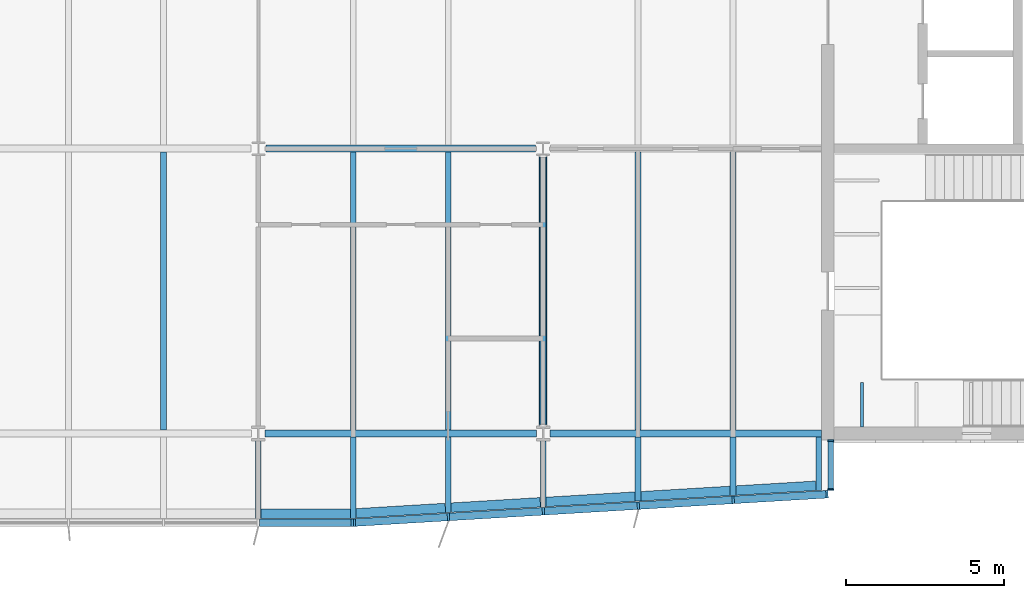
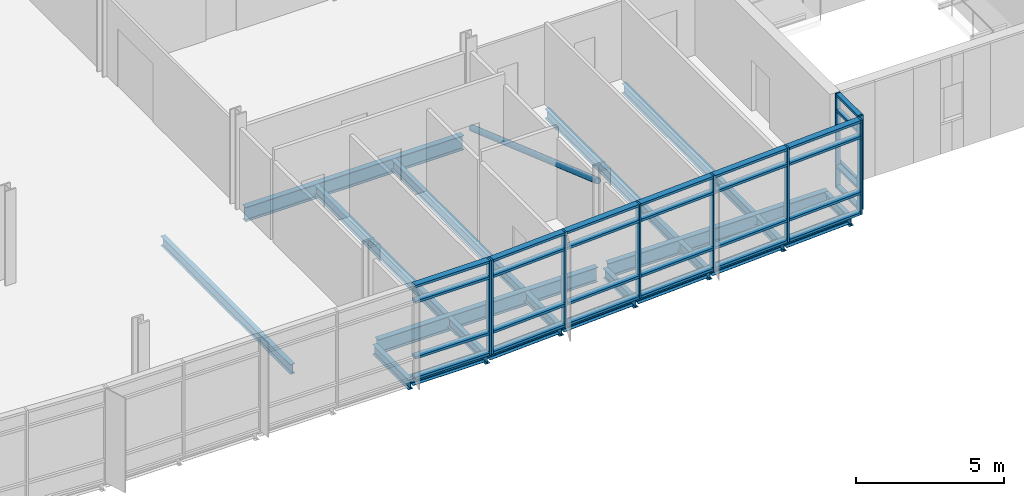
# One storey, part 6 of 21: 38 members, 22 beams, 3 elements without a shape of their own.
"""IFC4 building model written with IfcOpenShell, lengths in metres."""

from ifc_helpers import new_model, si_unit, direction, frame, origin, origin_2d, place, context, subcontext, project, spatial, rectangle, hollow_circle, i_section, extrude, material, material_profile, profile_set, type_object, element, aggregate, save


model = new_model("IFC4")

# Units and contexts
model_context = context("Model", 3, precision=1e-05, world=origin(), true_north=direction((0.0, 1.0)))
body_context = subcontext(model_context, "Body", "Model", "MODEL_VIEW")
ifc_project = project(units=[si_unit("LENGTHUNIT", "METRE"), si_unit("AREAUNIT", "SQUARE_METRE"), si_unit("VOLUMEUNIT", "CUBIC_METRE"), si_unit("PLANEANGLEUNIT", "RADIAN"), si_unit("MASSUNIT", "GRAM", prefix="KILO")], contexts=[model_context])

# Site, building, storey
site_placement = place(None, origin())
site = spatial("IfcSite", under=ifc_project, at=site_placement, CompositionType="ELEMENT")
building_placement = place(site_placement, origin())
building = spatial("IfcBuilding", under=site, at=building_placement, Name="Azimuth Sports and Learning Centre", CompositionType="ELEMENT")
storey_placement = place(building_placement, frame((0.0, 0.0, 32.39990234375)))
storey = spatial("IfcBuildingStorey", under=building, at=storey_placement, Name="L06", CompositionType="ELEMENT", Elevation=32.39990234375)

# Beams
ifc_material_1 = material(Name="Steel S355", Category="steel")
ifc_material_profile_1 = material_profile(ifc_material_1, i_section(OverallWidth=0.10009765625, OverallDepth=0.199951171875, WebThickness=0.005615234375, FlangeThickness=0.008544921875, FilletRadius=0.011962890625, at=origin_2d()), Name="IPE 200")
ifc_profile_set_1 = profile_set([ifc_material_profile_1], Name="Steel S355")
beam_type_1 = type_object("IfcBeamType", Name="Beam IPE 200", PredefinedType="BEAM", material=ifc_profile_set_1)
beam_1_placement = place(storey_placement, frame((109.0732421875, 90.199951171875, -0.2998046875), z_axis=(0.0, 1.0, 0.0), x_axis=(-1.0, 0.0, 0.0)))
element("IfcBeam", 1, at=beam_1_placement, inside=storey, type_object=beam_type_1, Name="Landing bracket E1 L06 415", PredefinedType="BEAM", context=body_context, shape_type="SweptSolid", body=[
    extrude(i_section(OverallWidth=0.10009765625, OverallDepth=0.199951171875, WebThickness=0.005615234375, FlangeThickness=0.008544921875, FilletRadius=0.011962890625, at=origin_2d()), origin(), (0.0, 0.0, 1.0), 1.41015625),
])
ifc_material_2 = material(Name="Steel S355", Category="steel")
ifc_material_profile_2 = material_profile(ifc_material_2, i_section(OverallWidth=0.219970703125, OverallDepth=0.60009765625, WebThickness=0.011962890625, FlangeThickness=0.01904296875, FilletRadius=0.02392578125, at=origin_2d()), Name="IPE 600")
ifc_profile_set_2 = profile_set([ifc_material_profile_2], Name="Steel S355")
beam_type_2 = type_object("IfcBeamType", Name="Beam IPE 600", PredefinedType="BEAM", material=ifc_profile_set_2)
beam_2_placement = place(storey_placement, frame((90.2119140625, 90.0, -0.429931640625), z_axis=(1.0, 0.0, 0.0), x_axis=(0.0, 1.0, 0.0)))
element("IfcBeam", 2, at=beam_2_placement, inside=storey, type_object=beam_type_2, Name="Tower girder L06", PredefinedType="BEAM", context=body_context, shape_type="SweptSolid", body=[
    extrude(i_section(OverallWidth=0.219970703125, OverallDepth=0.60009765625, WebThickness=0.011962890625, FlangeThickness=0.01904296875, FilletRadius=0.02392578125, at=origin_2d()), origin(), (0.0, 0.0, 1.0), 8.576171875),
])
beam_3_placement = place(storey_placement, frame((99.2119140625, 90.0, -0.429931640625), z_axis=(1.0, 0.0, 0.0), x_axis=(0.0, 1.0, 0.0)))
element("IfcBeam", 3, at=beam_3_placement, inside=storey, type_object=beam_type_2, Name="Tower girder L06", PredefinedType="BEAM", context=body_context, shape_type="SweptSolid", body=[
    extrude(i_section(OverallWidth=0.219970703125, OverallDepth=0.60009765625, WebThickness=0.011962890625, FlangeThickness=0.01904296875, FilletRadius=0.02392578125, at=origin_2d()), origin(), (0.0, 0.0, 1.0), 8.588134765625),
])
beam_4_placement = place(storey_placement, frame((90.238037109375, 99.0, -0.429931640625), z_axis=(1.0, 0.0, 0.0), x_axis=(0.0, 1.0, 0.0)))
element("IfcBeam", 4, at=beam_4_placement, inside=storey, type_object=beam_type_2, Name="Tower girder L06", PredefinedType="BEAM", context=body_context, shape_type="SweptSolid", body=[
    extrude(i_section(OverallWidth=0.219970703125, OverallDepth=0.60009765625, WebThickness=0.011962890625, FlangeThickness=0.01904296875, FilletRadius=0.02392578125, at=origin_2d()), origin(), (0.0, 0.0, 1.0), 8.52392578125),
])

# Member
ifc_material_3 = material(Name="Steel S355", Category="steel")
ifc_material_profile_3 = material_profile(ifc_material_3, hollow_circle(Radius=0.122314453125, WallThickness=0.012451171875, at=origin_2d()), Name="CHS 244.5x12.5")
ifc_profile_set_3 = profile_set([ifc_material_profile_3], Name="Steel S355")
member_type_1 = type_object("IfcMemberType", Name="Brace CHS 244.5x12.5", PredefinedType="BRACE", material=ifc_profile_set_3)
member_1_placement = place(storey_placement, frame((99.0, 90.25732421875, 3.150634765625), z_axis=(0.0, 0.943699867633, -0.330802901785), x_axis=(-1.0, 0.0, 0.0)))
element("IfcMember", 5, at=member_1_placement, inside=storey, type_object=member_type_1, Name="Tower brace 12 L06", PredefinedType="BRACE", context=body_context, shape_type="SweptSolid", body=[
    extrude(hollow_circle(Radius=0.122314453125, WallThickness=0.012451171875, at=origin_2d()), origin(), (0.0, 0.0, 1.0), 9.011962890625),
])

# Beams
ifc_material_4 = material(Name="Steel S355", Category="steel")
ifc_material_profile_4 = material_profile(ifc_material_4, i_section(OverallWidth=0.179931640625, OverallDepth=0.39990234375, WebThickness=0.008544921875, FlangeThickness=0.013427734375, FilletRadius=0.02099609375, at=origin_2d()), Name="IPE 400")
ifc_profile_set_4 = profile_set([ifc_material_profile_4], Name="Steel S355")
beam_type_3 = type_object("IfcBeamType", Name="Cantilever stub IPE 400", PredefinedType="JOIST", material=ifc_profile_set_4)
beam_5_placement = place(storey_placement, frame((90.0, 89.762939453125, -0.329833984375), z_axis=(0.0, -1.0, 0.0), x_axis=(1.0, 0.0, 0.0)))
element("IfcBeam", 6, at=beam_5_placement, inside=storey, type_object=beam_type_3, Name="Tower cantilever stub", PredefinedType="JOIST", context=body_context, shape_type="SweptSolid", body=[
    extrude(i_section(OverallWidth=0.179931640625, OverallDepth=0.39990234375, WebThickness=0.008544921875, FlangeThickness=0.013427734375, FilletRadius=0.02099609375, at=origin_2d()), origin(), (0.0, 0.0, 1.0), 2.44287109375),
])
beam_6_placement = place(storey_placement, frame((93.0, 89.889892578125, -0.329833984375), z_axis=(0.0, -1.0, 0.0), x_axis=(1.0, 0.0, 0.0)))
element("IfcBeam", 7, at=beam_6_placement, inside=storey, type_object=beam_type_3, Name="Tower cantilever stub", PredefinedType="JOIST", context=body_context, shape_type="SweptSolid", body=[
    extrude(i_section(OverallWidth=0.179931640625, OverallDepth=0.39990234375, WebThickness=0.008544921875, FlangeThickness=0.013427734375, FilletRadius=0.02099609375, at=origin_2d()), origin(), (0.0, 0.0, 1.0), 2.56982421875),
])
beam_7_placement = place(storey_placement, frame((96.0, 89.889892578125, -0.329833984375), z_axis=(0.0, -1.0, 0.0), x_axis=(1.0, 0.0, 0.0)))
element("IfcBeam", 8, at=beam_7_placement, inside=storey, type_object=beam_type_3, Name="Tower cantilever stub", PredefinedType="JOIST", context=body_context, shape_type="SweptSolid", body=[
    extrude(i_section(OverallWidth=0.179931640625, OverallDepth=0.39990234375, WebThickness=0.008544921875, FlangeThickness=0.013427734375, FilletRadius=0.02099609375, at=origin_2d()), origin(), (0.0, 0.0, 1.0), 2.389892578125),
])
beam_8_placement = place(storey_placement, frame((99.0, 89.762939453125, -0.329833984375), z_axis=(0.0, -1.0, 0.0), x_axis=(1.0, 0.0, 0.0)))
element("IfcBeam", 9, at=beam_8_placement, inside=storey, type_object=beam_type_3, Name="Tower cantilever stub", PredefinedType="JOIST", context=body_context, shape_type="SweptSolid", body=[
    extrude(i_section(OverallWidth=0.179931640625, OverallDepth=0.39990234375, WebThickness=0.008544921875, FlangeThickness=0.013427734375, FilletRadius=0.02099609375, at=origin_2d()), origin(), (0.0, 0.0, 1.0), 2.0830078125),
])
beam_9_placement = place(storey_placement, frame((102.0, 89.889892578125, -0.329833984375), z_axis=(0.0, -1.0, 0.0), x_axis=(1.0, 0.0, 0.0)))
element("IfcBeam", 10, at=beam_9_placement, inside=storey, type_object=beam_type_3, Name="Tower cantilever stub", PredefinedType="JOIST", context=body_context, shape_type="SweptSolid", body=[
    extrude(i_section(OverallWidth=0.179931640625, OverallDepth=0.39990234375, WebThickness=0.008544921875, FlangeThickness=0.013427734375, FilletRadius=0.02099609375, at=origin_2d()), origin(), (0.0, 0.0, 1.0), 2.02978515625),
])
beam_10_placement = place(storey_placement, frame((105.0, 89.889892578125, -0.329833984375), z_axis=(0.0, -1.0, 0.0), x_axis=(1.0, 0.0, 0.0)))
element("IfcBeam", 11, at=beam_10_placement, inside=storey, type_object=beam_type_3, Name="Tower cantilever stub", PredefinedType="JOIST", context=body_context, shape_type="SweptSolid", body=[
    extrude(i_section(OverallWidth=0.179931640625, OverallDepth=0.39990234375, WebThickness=0.008544921875, FlangeThickness=0.013427734375, FilletRadius=0.02099609375, at=origin_2d()), origin(), (0.0, 0.0, 1.0), 1.849853515625),
])
beam_11_placement = place(storey_placement, frame((107.7099609375, 89.889892578125, -0.329833984375), z_axis=(0.0, -1.0, 0.0), x_axis=(1.0, 0.0, 0.0)))
element("IfcBeam", 12, at=beam_11_placement, inside=storey, type_object=beam_type_3, Name="Tower cantilever stub", PredefinedType="JOIST", context=body_context, shape_type="SweptSolid", body=[
    extrude(i_section(OverallWidth=0.179931640625, OverallDepth=0.39990234375, WebThickness=0.008544921875, FlangeThickness=0.013427734375, FilletRadius=0.02099609375, at=origin_2d()), origin(), (0.0, 0.0, 1.0), 1.687255859375),
])
ifc_material_5 = material(Name="Steel S355", Category="steel")
ifc_material_profile_5 = material_profile(ifc_material_5, i_section(OverallWidth=0.300048828125, OverallDepth=0.2900390625, WebThickness=0.008544921875, FlangeThickness=0.013916015625, FilletRadius=0.027099609375, at=origin_2d()), Name="HEA 300")
ifc_profile_set_5 = profile_set([ifc_material_profile_5], Name="Steel S355")
beam_type_4 = type_object("IfcBeamType", Name="Edge beam HEA 300", PredefinedType="SPANDREL", material=ifc_profile_set_5)
beam_12_placement = place(storey_placement, frame((90.090087890625, 87.469970703125, -0.27490234375), z_axis=(1.0, 0.0, 0.0), x_axis=(0.0, 1.0, 0.0)))
element("IfcBeam", 13, at=beam_12_placement, inside=storey, type_object=beam_type_4, Name="Tower edge beam", PredefinedType="SPANDREL", context=body_context, shape_type="SweptSolid", body=[
    extrude(i_section(OverallWidth=0.300048828125, OverallDepth=0.2900390625, WebThickness=0.008544921875, FlangeThickness=0.013916015625, FilletRadius=0.027099609375, at=origin_2d()), origin(), (0.0, 0.0, 1.0), 2.81982421875),
])
for number, where, z_axis, x_axis, name in (
    (14, (93.090087890625, 87.475341796875, -0.27490234375), (0.998204845466, 0.059892290728, 0.0), (-0.059892290728, 0.998204845466, 0.0), "Tower edge beam"),
    (15, (96.090087890625, 87.655517578125, -0.27490234375), (0.998204845466, 0.059892290728, 0.0), (-0.059892290728, 0.998204845466, 0.0), "Tower edge beam"),
    (16, (99.090087890625, 87.83544921875, -0.27490234375), (0.998204845466, 0.059892290728, 0.0), (-0.059892290728, 0.998204845466, 0.0), "Tower edge beam"),
    (17, (102.090087890625, 88.015380859375, -0.27490234375), (0.998204845466, 0.059892290728, 0.0), (-0.059892290728, 0.998204845466, 0.0), "Tower edge beam"),
):
    element("IfcBeam", number, at=place(storey_placement, frame(where, z_axis=z_axis, x_axis=x_axis)), inside=storey, type_object=beam_type_4, Name=name, PredefinedType="SPANDREL", context=body_context, shape_type="SweptSolid", body=[
        extrude(i_section(OverallWidth=0.300048828125, OverallDepth=0.2900390625, WebThickness=0.008544921875, FlangeThickness=0.013916015625, FilletRadius=0.027099609375, at=origin_2d()), origin(), (0.0, 0.0, 1.0), 2.824951171875),
    ])
beam_13_placement = place(storey_placement, frame((105.090087890625, 88.1953125, -0.27490234375), z_axis=(0.998203578329, 0.059913405937, 0.0), x_axis=(-0.059913405937, 0.998203578329, 0.0)))
element("IfcBeam", 18, at=beam_13_placement, inside=storey, type_object=beam_type_4, Name="Tower edge beam", PredefinedType="SPANDREL", context=body_context, shape_type="SweptSolid", body=[
    extrude(i_section(OverallWidth=0.300048828125, OverallDepth=0.2900390625, WebThickness=0.008544921875, FlangeThickness=0.013916015625, FilletRadius=0.027099609375, at=origin_2d()), origin(), (0.0, 0.0, 1.0), 2.53466796875),
])
ifc_material_6 = material(Name="Steel S355", Category="steel")
ifc_material_profile_6 = material_profile(ifc_material_6, i_section(OverallWidth=0.179931640625, OverallDepth=0.39990234375, WebThickness=0.008544921875, FlangeThickness=0.013427734375, FilletRadius=0.02099609375, at=origin_2d()), Name="IPE 400")
ifc_profile_set_6 = profile_set([ifc_material_profile_6], Name="Steel S355")
beam_type_5 = type_object("IfcBeamType", Name="Joist IPE 400", PredefinedType="JOIST", material=ifc_profile_set_6)
for number, where, z_axis, x_axis, name in (
    (19, (87.0, 90.110107421875, -0.329833984375), (0.0, 1.0, 0.0), (-1.0, 0.0, 0.0), "Tower joist"),
    (20, (93.0, 90.110107421875, -0.329833984375), (0.0, 1.0, 0.0), (-1.0, 0.0, 0.0), "Tower joist"),
    (21, (96.0, 90.110107421875, -0.329833984375), (0.0, 1.0, 0.0), (-1.0, 0.0, 0.0), "Tower joist"),
    (22, (102.0, 90.110107421875, -0.329833984375), (0.0, 1.0, 0.0), (-1.0, 0.0, 0.0), "Tower joist"),
    (23, (105.0, 90.110107421875, -0.329833984375), (0.0, 1.0, 0.0), (-1.0, 0.0, 0.0), "Tower joist"),
):
    element("IfcBeam", number, at=place(storey_placement, frame(where, z_axis=z_axis, x_axis=x_axis)), inside=storey, type_object=beam_type_5, Name=name, PredefinedType="JOIST", context=body_context, shape_type="SweptSolid", body=[
        extrude(i_section(OverallWidth=0.179931640625, OverallDepth=0.39990234375, WebThickness=0.008544921875, FlangeThickness=0.013427734375, FilletRadius=0.02099609375, at=origin_2d()), origin(), (0.0, 0.0, 1.0), 8.77978515625),
    ])

# Curtain wall, members
ifc_material_7 = material(Name="Aluminium and glass", Category="aluminium")
curtain_wall_type_1 = type_object("IfcCurtainWallType", Name="Curtain wall tower return 180", PredefinedType="NOTDEFINED", material=ifc_material_7)
curtain_wall_1_placement = place(storey_placement, origin())
curtain_wall_1 = element("IfcCurtainWall", 24, at=curtain_wall_1_placement, inside=storey, type_object=curtain_wall_type_1, Name="Curtain wall CW06-005", PredefinedType="NOTDEFINED")
ifc_material_8 = material(Name="Aluminium", Category="aluminium")
ifc_material_profile_7 = material_profile(ifc_material_8, rectangle(XDim=0.179931640625, YDim=0.06005859375, at=origin_2d()), Name="Mullion 60x180")
ifc_profile_set_7 = profile_set([ifc_material_profile_7], Name="Aluminium")
member_type_2 = type_object("IfcMemberType", Name="Mullion 60x180", PredefinedType="MULLION", material=ifc_profile_set_7)
member_2_placement = place(storey_placement, frame((108.090087890625, 88.22998046875, 0.0), z_axis=(0.0, 0.0, 1.0), x_axis=(-1.0, 0.0, 0.0)))
member_2 = element("IfcMember", 25, at=member_2_placement, type_object=member_type_2, Name="CW06-005 mullion 1", PredefinedType="MULLION", context=body_context, shape_type="SweptSolid", body=[
    extrude(rectangle(XDim=0.179931640625, YDim=0.06005859375, at=origin_2d()), origin(), (0.0, 0.0, 1.0), 3.900146484375),
])
member_3_placement = place(storey_placement, frame((108.090087890625, 89.77001953125, 0.0), z_axis=(0.0, 0.0, 1.0), x_axis=(-1.0, 0.0, 0.0)))
member_3 = element("IfcMember", 26, at=member_3_placement, type_object=member_type_2, Name="CW06-005 mullion 2", PredefinedType="MULLION", context=body_context, shape_type="SweptSolid", body=[
    extrude(rectangle(XDim=0.179931640625, YDim=0.06005859375, at=origin_2d()), origin(), (0.0, 0.0, 1.0), 3.900146484375),
])

# Curtain wall, member
ifc_material_9 = material(Name="Aluminium and glass", Category="aluminium")
curtain_wall_type_2 = type_object("IfcCurtainWallType", Name="Curtain wall tower south 240", PredefinedType="NOTDEFINED", material=ifc_material_9)
curtain_wall_2_placement = place(storey_placement, origin())
curtain_wall_2 = element("IfcCurtainWall", 27, at=curtain_wall_2_placement, inside=storey, type_object=curtain_wall_type_2, Name="Curtain wall CW06-003", PredefinedType="NOTDEFINED")
ifc_material_10 = material(Name="Aluminium", Category="aluminium")
ifc_material_profile_8 = material_profile(ifc_material_10, rectangle(XDim=0.239990234375, YDim=0.070068359375, at=origin_2d()), Name="Mullion 70x240")
ifc_profile_set_8 = profile_set([ifc_material_profile_8], Name="Aluminium")
member_type_3 = type_object("IfcMemberType", Name="Mullion 70x240", PredefinedType="MULLION", material=ifc_profile_set_8)
member_4_placement = place(storey_placement, frame((92.965087890625, 87.179931640625, 0.0), z_axis=(0.0, 0.0, 1.0), x_axis=(0.0, 1.0, 0.0)))
member_4 = element("IfcMember", 28, at=member_4_placement, type_object=member_type_3, Name="CW06-003 mullion 6", PredefinedType="MULLION", context=body_context, shape_type="SweptSolid", body=[
    extrude(rectangle(XDim=0.239990234375, YDim=0.070068359375, at=origin_2d()), origin(), (0.0, 0.0, 1.0), 3.900146484375),
])

# Curtain wall, members
curtain_wall_3_placement = place(storey_placement, origin())
curtain_wall_3 = element("IfcCurtainWall", 29, at=curtain_wall_3_placement, inside=storey, type_object=curtain_wall_type_2, Name="Curtain wall CW06-004", PredefinedType="NOTDEFINED")
member_5_placement = place(storey_placement, frame((93.034912109375, 87.181884765625, 0.0), z_axis=(0.0, 0.0, 1.0), x_axis=(-0.059891991812, 0.998204863401, 0.0)))
member_5 = element("IfcMember", 30, at=member_5_placement, type_object=member_type_3, Name="CW06-004 mullion 1", PredefinedType="MULLION", context=body_context, shape_type="SweptSolid", body=[
    extrude(rectangle(XDim=0.239990234375, YDim=0.070068359375, at=origin_2d()), origin(), (0.0, 0.0, 1.0), 3.900146484375),
])
member_6_placement = place(storey_placement, frame((96.007080078125, 87.360107421875, 0.0), z_axis=(0.0, 0.0, 1.0), x_axis=(-0.059891991812, 0.998204863401, 0.0)))
member_6 = element("IfcMember", 31, at=member_6_placement, type_object=member_type_3, Name="CW06-004 mullion 2", PredefinedType="MULLION", context=body_context, shape_type="SweptSolid", body=[
    extrude(rectangle(XDim=0.239990234375, YDim=0.070068359375, at=origin_2d()), origin(), (0.0, 0.0, 1.0), 3.900146484375),
])
member_7_placement = place(storey_placement, frame((99.007080078125, 87.540283203125, 0.0), z_axis=(0.0, 0.0, 1.0), x_axis=(-0.059891991812, 0.998204863401, 0.0)))
member_7 = element("IfcMember", 32, at=member_7_placement, type_object=member_type_3, Name="CW06-004 mullion 3", PredefinedType="MULLION", context=body_context, shape_type="SweptSolid", body=[
    extrude(rectangle(XDim=0.239990234375, YDim=0.070068359375, at=origin_2d()), origin(), (0.0, 0.0, 1.0), 3.900146484375),
])
member_8_placement = place(storey_placement, frame((102.007080078125, 87.72021484375, 0.0), z_axis=(0.0, 0.0, 1.0), x_axis=(-0.059891991812, 0.998204863401, 0.0)))
member_8 = element("IfcMember", 33, at=member_8_placement, type_object=member_type_3, Name="CW06-004 mullion 4", PredefinedType="MULLION", context=body_context, shape_type="SweptSolid", body=[
    extrude(rectangle(XDim=0.239990234375, YDim=0.070068359375, at=origin_2d()), origin(), (0.0, 0.0, 1.0), 3.900146484375),
])
member_9_placement = place(storey_placement, frame((105.007080078125, 87.900146484375, 0.0), z_axis=(0.0, 0.0, 1.0), x_axis=(-0.059891991812, 0.998204863401, 0.0)))
member_9 = element("IfcMember", 34, at=member_9_placement, type_object=member_type_3, Name="CW06-004 mullion 5", PredefinedType="MULLION", context=body_context, shape_type="SweptSolid", body=[
    extrude(rectangle(XDim=0.239990234375, YDim=0.070068359375, at=origin_2d()), origin(), (0.0, 0.0, 1.0), 3.900146484375),
])
member_10_placement = place(storey_placement, frame((107.97216796875, 88.078125, 0.0), z_axis=(0.0, 0.0, 1.0), x_axis=(-0.059891991812, 0.998204863401, 0.0)))
member_10 = element("IfcMember", 35, at=member_10_placement, type_object=member_type_3, Name="CW06-004 mullion 6", PredefinedType="MULLION", context=body_context, shape_type="SweptSolid", body=[
    extrude(rectangle(XDim=0.239990234375, YDim=0.070068359375, at=origin_2d()), origin(), (0.0, 0.0, 1.0), 3.900146484375),
])

# Member
ifc_material_11 = material(Name="Aluminium", Category="aluminium")
ifc_material_profile_9 = material_profile(ifc_material_11, rectangle(XDim=0.179931640625, YDim=0.10009765625, at=origin_2d()), Name="Transom 100x180")
ifc_profile_set_9 = profile_set([ifc_material_profile_9], Name="Aluminium")
member_type_4 = type_object("IfcMemberType", Name="Transom 100x180", PredefinedType="USERDEFINED", material=ifc_profile_set_9)
member_11_placement = place(storey_placement, frame((108.090087890625, 88.260009765625, 0.050048828125), z_axis=(0.0, 1.0, 0.0), x_axis=(-1.0, 0.0, 0.0)))
member_11 = element("IfcMember", 36, at=member_11_placement, type_object=member_type_4, Name="CW06-005 transom 1.1", ObjectType="TRANSOM", PredefinedType="USERDEFINED", context=body_context, shape_type="SweptSolid", body=[
    extrude(rectangle(XDim=0.179931640625, YDim=0.10009765625, at=origin_2d()), origin(), (0.0, 0.0, 1.0), 1.47998046875),
])

member_12_placement = place(storey_placement, frame((108.090087890625, 88.260009765625, 0.900146484375), z_axis=(0.0, 1.0, 0.0), x_axis=(-1.0, 0.0, 0.0)))
member_12 = element("IfcMember", 37, at=member_12_placement, type_object=member_type_4, Name="CW06-005 transom 1.2", ObjectType="TRANSOM", PredefinedType="USERDEFINED", context=body_context, shape_type="SweptSolid", body=[
    extrude(rectangle(XDim=0.179931640625, YDim=0.10009765625, at=origin_2d()), origin(), (0.0, 0.0, 1.0), 1.47998046875),
])

member_13_placement = place(storey_placement, frame((108.090087890625, 88.260009765625, 3.2001953125), z_axis=(0.0, 1.0, 0.0), x_axis=(-1.0, 0.0, 0.0)))
member_13 = element("IfcMember", 38, at=member_13_placement, type_object=member_type_4, Name="CW06-005 transom 1.3", ObjectType="TRANSOM", PredefinedType="USERDEFINED", context=body_context, shape_type="SweptSolid", body=[
    extrude(rectangle(XDim=0.179931640625, YDim=0.10009765625, at=origin_2d()), origin(), (0.0, 0.0, 1.0), 1.47998046875),
])

member_14_placement = place(storey_placement, frame((108.090087890625, 88.260009765625, 3.85009765625), z_axis=(0.0, 1.0, 0.0), x_axis=(-1.0, 0.0, 0.0)))
member_14 = element("IfcMember", 39, at=member_14_placement, type_object=member_type_4, Name="CW06-005 transom 1.4", ObjectType="TRANSOM", PredefinedType="USERDEFINED", context=body_context, shape_type="SweptSolid", body=[
    extrude(rectangle(XDim=0.179931640625, YDim=0.10009765625, at=origin_2d()), origin(), (0.0, 0.0, 1.0), 1.47998046875),
])

aggregate(curtain_wall_1, [member_2, member_3, member_11, member_12, member_13, member_14])

ifc_material_12 = material(Name="Aluminium", Category="aluminium")
ifc_material_profile_10 = material_profile(ifc_material_12, rectangle(XDim=0.239990234375, YDim=0.10009765625, at=origin_2d()), Name="Transom 100x240")
ifc_profile_set_10 = profile_set([ifc_material_profile_10], Name="Aluminium")
member_type_5 = type_object("IfcMemberType", Name="Transom 100x240", PredefinedType="USERDEFINED", material=ifc_profile_set_10)
member_15_placement = place(storey_placement, frame((90.034912109375, 87.179931640625, 0.050048828125), z_axis=(1.0, 0.0, 0.0), x_axis=(0.0, 1.0, 0.0)))
member_15 = element("IfcMember", 40, at=member_15_placement, type_object=member_type_5, Name="CW06-003 transom 5.1", ObjectType="TRANSOM", PredefinedType="USERDEFINED", context=body_context, shape_type="SweptSolid", body=[
    extrude(rectangle(XDim=0.239990234375, YDim=0.10009765625, at=origin_2d()), origin(), (0.0, 0.0, 1.0), 2.89501953125),
])

member_16_placement = place(storey_placement, frame((90.034912109375, 87.179931640625, 0.900146484375), z_axis=(1.0, 0.0, 0.0), x_axis=(0.0, 1.0, 0.0)))
member_16 = element("IfcMember", 41, at=member_16_placement, type_object=member_type_5, Name="CW06-003 transom 5.2", ObjectType="TRANSOM", PredefinedType="USERDEFINED", context=body_context, shape_type="SweptSolid", body=[
    extrude(rectangle(XDim=0.239990234375, YDim=0.10009765625, at=origin_2d()), origin(), (0.0, 0.0, 1.0), 2.89501953125),
])

member_17_placement = place(storey_placement, frame((90.034912109375, 87.179931640625, 3.2001953125), z_axis=(1.0, 0.0, 0.0), x_axis=(0.0, 1.0, 0.0)))
member_17 = element("IfcMember", 42, at=member_17_placement, type_object=member_type_5, Name="CW06-003 transom 5.3", ObjectType="TRANSOM", PredefinedType="USERDEFINED", context=body_context, shape_type="SweptSolid", body=[
    extrude(rectangle(XDim=0.239990234375, YDim=0.10009765625, at=origin_2d()), origin(), (0.0, 0.0, 1.0), 2.89501953125),
])

member_18_placement = place(storey_placement, frame((90.034912109375, 87.179931640625, 3.85009765625), z_axis=(1.0, 0.0, 0.0), x_axis=(0.0, 1.0, 0.0)))
member_18 = element("IfcMember", 43, at=member_18_placement, type_object=member_type_5, Name="CW06-003 transom 5.4", ObjectType="TRANSOM", PredefinedType="USERDEFINED", context=body_context, shape_type="SweptSolid", body=[
    extrude(rectangle(XDim=0.239990234375, YDim=0.10009765625, at=origin_2d()), origin(), (0.0, 0.0, 1.0), 2.89501953125),
])

aggregate(curtain_wall_2, [member_4, member_15, member_16, member_17, member_18])

member_19_placement = place(storey_placement, frame((93.06982421875, 87.18408203125, 0.050048828125), z_axis=(0.998206250786, 0.059868864133, 0.0), x_axis=(-0.059868864133, 0.998206250786, 0.0)))
member_19 = element("IfcMember", 44, at=member_19_placement, type_object=member_type_5, Name="CW06-004 transom 1.1", ObjectType="TRANSOM", PredefinedType="USERDEFINED", context=body_context, shape_type="SweptSolid", body=[
    extrude(rectangle(XDim=0.239990234375, YDim=0.10009765625, at=origin_2d()), origin(), (0.0, 0.0, 1.0), 2.907470703125),
])

member_20_placement = place(storey_placement, frame((93.06982421875, 87.18408203125, 0.900146484375), z_axis=(0.998206250786, 0.059868864133, 0.0), x_axis=(-0.059868864133, 0.998206250786, 0.0)))
member_20 = element("IfcMember", 45, at=member_20_placement, type_object=member_type_5, Name="CW06-004 transom 1.2", ObjectType="TRANSOM", PredefinedType="USERDEFINED", context=body_context, shape_type="SweptSolid", body=[
    extrude(rectangle(XDim=0.239990234375, YDim=0.10009765625, at=origin_2d()), origin(), (0.0, 0.0, 1.0), 2.907470703125),
])

member_21_placement = place(storey_placement, frame((93.06982421875, 87.18408203125, 3.2001953125), z_axis=(0.998206250786, 0.059868864133, 0.0), x_axis=(-0.059868864133, 0.998206250786, 0.0)))
member_21 = element("IfcMember", 46, at=member_21_placement, type_object=member_type_5, Name="CW06-004 transom 1.3", ObjectType="TRANSOM", PredefinedType="USERDEFINED", context=body_context, shape_type="SweptSolid", body=[
    extrude(rectangle(XDim=0.239990234375, YDim=0.10009765625, at=origin_2d()), origin(), (0.0, 0.0, 1.0), 2.907470703125),
])

member_22_placement = place(storey_placement, frame((93.06982421875, 87.18408203125, 3.85009765625), z_axis=(0.998206250786, 0.059868864133, 0.0), x_axis=(-0.059868864133, 0.998206250786, 0.0)))
member_22 = element("IfcMember", 47, at=member_22_placement, type_object=member_type_5, Name="CW06-004 transom 1.4", ObjectType="TRANSOM", PredefinedType="USERDEFINED", context=body_context, shape_type="SweptSolid", body=[
    extrude(rectangle(XDim=0.239990234375, YDim=0.10009765625, at=origin_2d()), origin(), (0.0, 0.0, 1.0), 2.907470703125),
])

member_23_placement = place(storey_placement, frame((96.042236328125, 87.3623046875, 0.050048828125), z_axis=(0.998205143816, 0.059887318019, 0.0), x_axis=(-0.059887318019, 0.998205143816, 0.0)))
member_23 = element("IfcMember", 48, at=member_23_placement, type_object=member_type_5, Name="CW06-004 transom 2.1", ObjectType="TRANSOM", PredefinedType="USERDEFINED", context=body_context, shape_type="SweptSolid", body=[
    extrude(rectangle(XDim=0.239990234375, YDim=0.10009765625, at=origin_2d()), origin(), (0.0, 0.0, 1.0), 2.935302734375),
])

member_24_placement = place(storey_placement, frame((96.042236328125, 87.3623046875, 0.900146484375), z_axis=(0.998205143816, 0.059887318019, 0.0), x_axis=(-0.059887318019, 0.998205143816, 0.0)))
member_24 = element("IfcMember", 49, at=member_24_placement, type_object=member_type_5, Name="CW06-004 transom 2.2", ObjectType="TRANSOM", PredefinedType="USERDEFINED", context=body_context, shape_type="SweptSolid", body=[
    extrude(rectangle(XDim=0.239990234375, YDim=0.10009765625, at=origin_2d()), origin(), (0.0, 0.0, 1.0), 2.935302734375),
])

member_25_placement = place(storey_placement, frame((96.042236328125, 87.3623046875, 3.2001953125), z_axis=(0.998205143816, 0.059887318019, 0.0), x_axis=(-0.059887318019, 0.998205143816, 0.0)))
member_25 = element("IfcMember", 50, at=member_25_placement, type_object=member_type_5, Name="CW06-004 transom 2.3", ObjectType="TRANSOM", PredefinedType="USERDEFINED", context=body_context, shape_type="SweptSolid", body=[
    extrude(rectangle(XDim=0.239990234375, YDim=0.10009765625, at=origin_2d()), origin(), (0.0, 0.0, 1.0), 2.935302734375),
])

member_26_placement = place(storey_placement, frame((96.042236328125, 87.3623046875, 3.85009765625), z_axis=(0.998205143816, 0.059887318019, 0.0), x_axis=(-0.059887318019, 0.998205143816, 0.0)))
member_26 = element("IfcMember", 51, at=member_26_placement, type_object=member_type_5, Name="CW06-004 transom 2.4", ObjectType="TRANSOM", PredefinedType="USERDEFINED", context=body_context, shape_type="SweptSolid", body=[
    extrude(rectangle(XDim=0.239990234375, YDim=0.10009765625, at=origin_2d()), origin(), (0.0, 0.0, 1.0), 2.935302734375),
])

member_27_placement = place(storey_placement, frame((99.042236328125, 87.542236328125, 0.050048828125), z_axis=(0.998205143816, 0.059887318019, 0.0), x_axis=(-0.059887318019, 0.998205143816, 0.0)))
member_27 = element("IfcMember", 52, at=member_27_placement, type_object=member_type_5, Name="CW06-004 transom 3.1", ObjectType="TRANSOM", PredefinedType="USERDEFINED", context=body_context, shape_type="SweptSolid", body=[
    extrude(rectangle(XDim=0.239990234375, YDim=0.10009765625, at=origin_2d()), origin(), (0.0, 0.0, 1.0), 2.935302734375),
])

member_28_placement = place(storey_placement, frame((99.042236328125, 87.542236328125, 0.900146484375), z_axis=(0.998205143816, 0.059887318019, 0.0), x_axis=(-0.059887318019, 0.998205143816, 0.0)))
member_28 = element("IfcMember", 53, at=member_28_placement, type_object=member_type_5, Name="CW06-004 transom 3.2", ObjectType="TRANSOM", PredefinedType="USERDEFINED", context=body_context, shape_type="SweptSolid", body=[
    extrude(rectangle(XDim=0.239990234375, YDim=0.10009765625, at=origin_2d()), origin(), (0.0, 0.0, 1.0), 2.935302734375),
])

member_29_placement = place(storey_placement, frame((99.042236328125, 87.542236328125, 3.2001953125), z_axis=(0.998205143816, 0.059887318019, 0.0), x_axis=(-0.059887318019, 0.998205143816, 0.0)))
member_29 = element("IfcMember", 54, at=member_29_placement, type_object=member_type_5, Name="CW06-004 transom 3.3", ObjectType="TRANSOM", PredefinedType="USERDEFINED", context=body_context, shape_type="SweptSolid", body=[
    extrude(rectangle(XDim=0.239990234375, YDim=0.10009765625, at=origin_2d()), origin(), (0.0, 0.0, 1.0), 2.935302734375),
])

member_30_placement = place(storey_placement, frame((99.042236328125, 87.542236328125, 3.85009765625), z_axis=(0.998205143816, 0.059887318019, 0.0), x_axis=(-0.059887318019, 0.998205143816, 0.0)))
member_30 = element("IfcMember", 55, at=member_30_placement, type_object=member_type_5, Name="CW06-004 transom 3.4", ObjectType="TRANSOM", PredefinedType="USERDEFINED", context=body_context, shape_type="SweptSolid", body=[
    extrude(rectangle(XDim=0.239990234375, YDim=0.10009765625, at=origin_2d()), origin(), (0.0, 0.0, 1.0), 2.935302734375),
])

member_31_placement = place(storey_placement, frame((102.042236328125, 87.722412109375, 0.050048828125), z_axis=(0.998205143816, 0.059887318019, 0.0), x_axis=(-0.059887318019, 0.998205143816, 0.0)))
member_31 = element("IfcMember", 56, at=member_31_placement, type_object=member_type_5, Name="CW06-004 transom 4.1", ObjectType="TRANSOM", PredefinedType="USERDEFINED", context=body_context, shape_type="SweptSolid", body=[
    extrude(rectangle(XDim=0.239990234375, YDim=0.10009765625, at=origin_2d()), origin(), (0.0, 0.0, 1.0), 2.935302734375),
])

member_32_placement = place(storey_placement, frame((102.042236328125, 87.722412109375, 0.900146484375), z_axis=(0.998205143816, 0.059887318019, 0.0), x_axis=(-0.059887318019, 0.998205143816, 0.0)))
member_32 = element("IfcMember", 57, at=member_32_placement, type_object=member_type_5, Name="CW06-004 transom 4.2", ObjectType="TRANSOM", PredefinedType="USERDEFINED", context=body_context, shape_type="SweptSolid", body=[
    extrude(rectangle(XDim=0.239990234375, YDim=0.10009765625, at=origin_2d()), origin(), (0.0, 0.0, 1.0), 2.935302734375),
])

member_33_placement = place(storey_placement, frame((102.042236328125, 87.722412109375, 3.2001953125), z_axis=(0.998205143816, 0.059887318019, 0.0), x_axis=(-0.059887318019, 0.998205143816, 0.0)))
member_33 = element("IfcMember", 58, at=member_33_placement, type_object=member_type_5, Name="CW06-004 transom 4.3", ObjectType="TRANSOM", PredefinedType="USERDEFINED", context=body_context, shape_type="SweptSolid", body=[
    extrude(rectangle(XDim=0.239990234375, YDim=0.10009765625, at=origin_2d()), origin(), (0.0, 0.0, 1.0), 2.935302734375),
])

member_34_placement = place(storey_placement, frame((102.042236328125, 87.722412109375, 3.85009765625), z_axis=(0.998205143816, 0.059887318019, 0.0), x_axis=(-0.059887318019, 0.998205143816, 0.0)))
member_34 = element("IfcMember", 59, at=member_34_placement, type_object=member_type_5, Name="CW06-004 transom 4.4", ObjectType="TRANSOM", PredefinedType="USERDEFINED", context=body_context, shape_type="SweptSolid", body=[
    extrude(rectangle(XDim=0.239990234375, YDim=0.10009765625, at=origin_2d()), origin(), (0.0, 0.0, 1.0), 2.935302734375),
])

member_35_placement = place(storey_placement, frame((105.042236328125, 87.90234375, 0.050048828125), z_axis=(0.998207260343, 0.059852029187, 0.0), x_axis=(-0.059852029187, 0.998207260343, 0.0)))
member_35 = element("IfcMember", 60, at=member_35_placement, type_object=member_type_5, Name="CW06-004 transom 5.1", ObjectType="TRANSOM", PredefinedType="USERDEFINED", context=body_context, shape_type="SweptSolid", body=[
    extrude(rectangle(XDim=0.239990234375, YDim=0.10009765625, at=origin_2d()), origin(), (0.0, 0.0, 1.0), 2.900146484375),
])

member_36_placement = place(storey_placement, frame((105.042236328125, 87.90234375, 0.900146484375), z_axis=(0.998207260343, 0.059852029187, 0.0), x_axis=(-0.059852029187, 0.998207260343, 0.0)))
member_36 = element("IfcMember", 61, at=member_36_placement, type_object=member_type_5, Name="CW06-004 transom 5.2", ObjectType="TRANSOM", PredefinedType="USERDEFINED", context=body_context, shape_type="SweptSolid", body=[
    extrude(rectangle(XDim=0.239990234375, YDim=0.10009765625, at=origin_2d()), origin(), (0.0, 0.0, 1.0), 2.900146484375),
])

member_37_placement = place(storey_placement, frame((105.042236328125, 87.90234375, 3.2001953125), z_axis=(0.998207260343, 0.059852029187, 0.0), x_axis=(-0.059852029187, 0.998207260343, 0.0)))
member_37 = element("IfcMember", 62, at=member_37_placement, type_object=member_type_5, Name="CW06-004 transom 5.3", ObjectType="TRANSOM", PredefinedType="USERDEFINED", context=body_context, shape_type="SweptSolid", body=[
    extrude(rectangle(XDim=0.239990234375, YDim=0.10009765625, at=origin_2d()), origin(), (0.0, 0.0, 1.0), 2.900146484375),
])

member_38_placement = place(storey_placement, frame((105.042236328125, 87.90234375, 3.85009765625), z_axis=(0.998207260343, 0.059852029187, 0.0), x_axis=(-0.059852029187, 0.998207260343, 0.0)))
member_38 = element("IfcMember", 63, at=member_38_placement, type_object=member_type_5, Name="CW06-004 transom 5.4", ObjectType="TRANSOM", PredefinedType="USERDEFINED", context=body_context, shape_type="SweptSolid", body=[
    extrude(rectangle(XDim=0.239990234375, YDim=0.10009765625, at=origin_2d()), origin(), (0.0, 0.0, 1.0), 2.900146484375),
])

aggregate(curtain_wall_3, [member_5, member_6, member_7, member_8, member_9, member_10, member_19, member_20, member_21, member_22, member_23, member_24, member_25, member_26, member_27, member_28, member_29, member_30, member_31, member_32, member_33, member_34, member_35, member_36, member_37, member_38])

save(model, "model.ifc")
